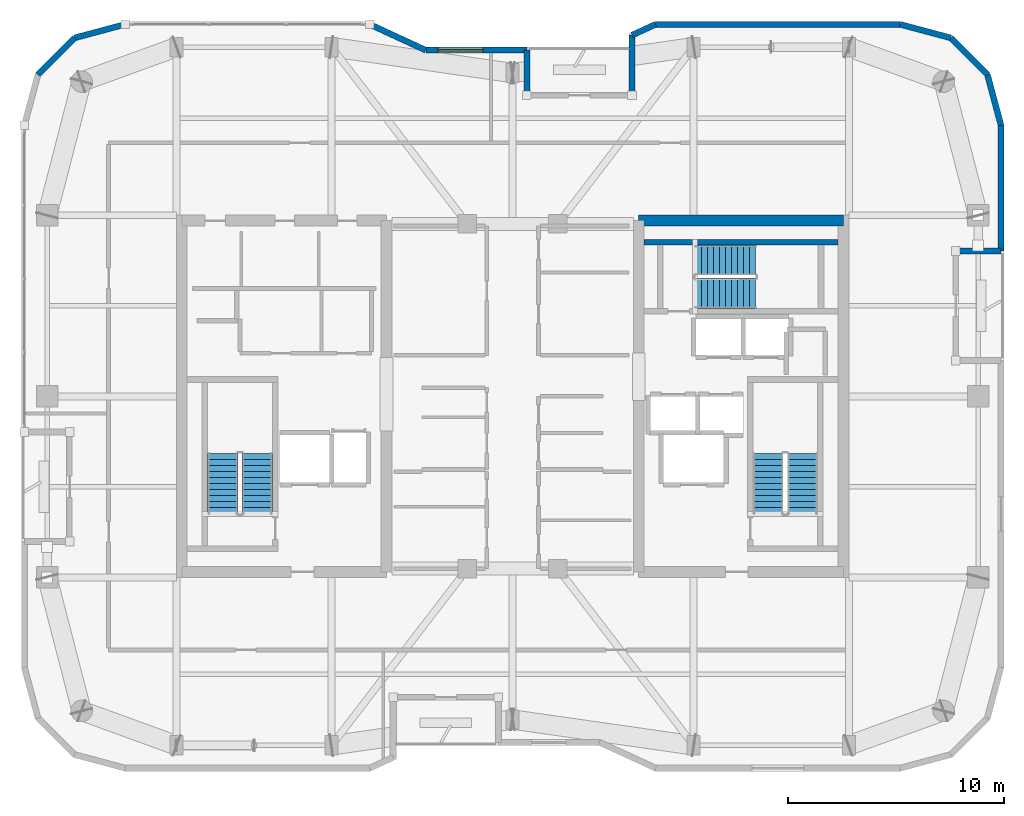
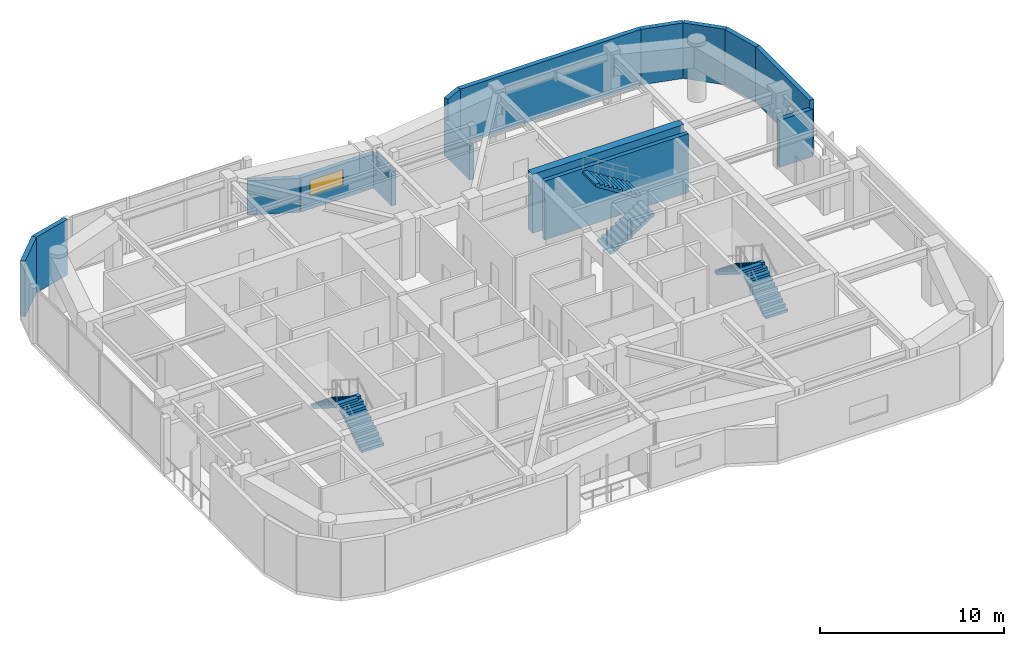
# One storey, part 13 of 15: 15 walls, 6 stair flights, 1 window, 1 opening, 3 elements without a shape of their own.
"""IFC4 building model written with IfcOpenShell, lengths in metres."""

import ifcopenshell
import ifcopenshell.guid

model = None  # the IFC model being written
_history = None  # IfcOwnerHistory: only IFC2X3 demands one
_inside = {}  # id of a spatial element -> (the spatial element, [elements in it])
_under = {}  # id of a project, library or spatial element -> (it, [spatial elements below it])
_declared = {}  # id of a project -> (the project, [libraries it declares])
_typed = {}  # id of a type object -> (the type object, [elements of that type])
_made_of = {}  # id of a material, layer set ... -> (it, [elements and type objects made of it])


def new_model(schema):
    """Start an empty IFC model of exactly this schema.

    Asked for "IFC4X3", IfcOpenShell would pick the latest addendum, in which some entities
    have other attributes; the version numbers below select the first issue.
    IFC2X3 requires an IfcOwnerHistory on every rooted entity: one is made here for all.
    """
    global model, _history
    if schema == "IFC4X3":
        model = ifcopenshell.file(schema_version=(4, 3, 0, 0))
    else:
        model = ifcopenshell.file(schema=schema)
    _inside.clear()
    _under.clear()
    _declared.clear()
    _typed.clear()
    _made_of.clear()
    _history = None
    if model.schema == "IFC2X3":
        org = make("IfcOrganization", Name="unknown")
        user = make(
            "IfcPersonAndOrganization",
            ThePerson=make("IfcPerson", FamilyName="unknown"),
            TheOrganization=org,
        )
        app = make(
            "IfcApplication",
            ApplicationDeveloper=org,
            Version="unknown",
            ApplicationFullName="unknown",
            ApplicationIdentifier="unknown",
        )
        _history = make(
            "IfcOwnerHistory",
            OwningUser=user,
            OwningApplication=app,
            ChangeAction="ADDED",
            CreationDate=0,
        )
    return model


def make(cls, **values):
    """One entity of the class cls with the attributes given. An attribute that is None is left unset."""
    return model.create_entity(
        cls, **{name: value for name, value in values.items() if value is not None}
    )


def rooted(cls, **values):
    """An entity with a GlobalId (a new one), such as an element, a storey or a relation."""
    return make(cls, GlobalId=ifcopenshell.guid.new(), OwnerHistory=_history, **values)


def si_unit(unit_type, name, prefix=None):
    """IfcSIUnit, for example si_unit("LENGTHUNIT", "METRE", prefix="MILLI")."""
    return make("IfcSIUnit", UnitType=unit_type, Prefix=prefix, Name=name)


def assignment(units):
    """IfcUnitAssignment: the units of a project."""
    return None if units is None else make("IfcUnitAssignment", Units=units)


def point(xyz):
    """IfcCartesianPoint."""
    return None if xyz is None else make("IfcCartesianPoint", Coordinates=xyz)


def direction(xyz):
    """IfcDirection."""
    return None if xyz is None else make("IfcDirection", DirectionRatios=xyz)


def frame(location, z_axis=None, x_axis=None):
    """IfcAxis2Placement3D, a coordinate frame: its origin and axes. An axis left out is left unset."""
    return make(
        "IfcAxis2Placement3D",
        Location=point(location),
        Axis=direction(z_axis),
        RefDirection=direction(x_axis),
    )


def frame_2d(location, x_axis=None):
    """IfcAxis2Placement2D, a coordinate frame in the plane: its origin and x axis."""
    return make(
        "IfcAxis2Placement2D", Location=point(location), RefDirection=direction(x_axis)
    )


def origin():
    """The frame at (0, 0, 0) with its axes left unset."""
    return frame((0.0, 0.0, 0.0))


def place(relative_to, where):
    """IfcLocalPlacement: puts the frame where relative to a parent placement (None: the world)."""
    return make(
        "IfcLocalPlacement", PlacementRelTo=relative_to, RelativePlacement=where
    )


def context(
    kind, dimensions, precision=None, world=None, true_north=None, identifier=None
):
    """IfcGeometricRepresentationContext, for example the 3D "Model" context."""
    return make(
        "IfcGeometricRepresentationContext",
        ContextIdentifier=identifier,
        ContextType=kind,
        CoordinateSpaceDimension=dimensions,
        Precision=precision,
        WorldCoordinateSystem=world,
        TrueNorth=true_north,
    )


def subcontext(parent, identifier, kind, view, scale=None):
    """IfcGeometricRepresentationSubContext, for example "Body" below "Model"."""
    return make(
        "IfcGeometricRepresentationSubContext",
        ContextIdentifier=identifier,
        ContextType=kind,
        ParentContext=parent,
        TargetScale=scale,
        TargetView=view,
    )


def project(units=None, contexts=None):
    """IfcProject with its units and contexts."""
    return rooted(
        "IfcProject",
        Name="project",
        RepresentationContexts=contexts,
        UnitsInContext=assignment(units),
    )


def spatial(cls, under=None, at=None, **own):
    """A site, building, storey or space (cls), placed at a placement, below another one or the project."""
    s = rooted(cls, ObjectPlacement=at, **own)
    if under is not None:
        _under.setdefault(under.id(), (under, []))[1].append(s)
    return s


def polyline(points):
    """IfcPolyline through the points."""
    return make("IfcPolyline", Points=[point(p) for p in points])


def profile(cls, at=None, kind="AREA", **sizes):
    """A parametric profile (cls). Its sizes go by their IFC names, for example OverallWidth=200.0."""
    return make(cls, ProfileType=kind, Position=at, **sizes)


def rectangle(**sizes):
    """IfcRectangleProfileDef."""
    return profile("IfcRectangleProfileDef", **sizes)


def outline(outer, holes=None, kind="AREA"):
    """IfcArbitraryClosedProfileDef: a profile drawn as a closed curve; with holes, ...WithVoids."""
    if holes is None:
        return make("IfcArbitraryClosedProfileDef", ProfileType=kind, OuterCurve=outer)
    return make(
        "IfcArbitraryProfileDefWithVoids",
        ProfileType=kind,
        OuterCurve=outer,
        InnerCurves=holes,
    )


def extrude(swept, where, along, depth):
    """IfcExtrudedAreaSolid: the profile swept, set in the frame where, extruded along a direction by depth."""
    return make(
        "IfcExtrudedAreaSolid",
        SweptArea=swept,
        Position=where,
        ExtrudedDirection=direction(along),
        Depth=depth,
    )


def shape(context_of_items, identifier, shape_type, items):
    """IfcShapeRepresentation: the items that make up one representation, for example the "Body"."""
    return make(
        "IfcShapeRepresentation",
        ContextOfItems=context_of_items,
        RepresentationIdentifier=identifier,
        RepresentationType=shape_type,
        Items=items,
    )


def material(Name=None, Category=None):
    """IfcMaterial."""
    return make("IfcMaterial", Name=Name, Category=Category)


def layer(
    of_material, thickness, ventilated=None, Name=None, Category=None, Priority=None
):
    """IfcMaterialLayer: one layer of a wall or slab, of a material (None: an air gap)."""
    return make(
        "IfcMaterialLayer",
        Material=of_material,
        LayerThickness=thickness,
        IsVentilated=ventilated,
        Name=Name,
        Category=Category,
        Priority=Priority,
    )


def layer_set(layers, Name=None):
    """IfcMaterialLayerSet."""
    return make("IfcMaterialLayerSet", MaterialLayers=layers, LayerSetName=Name)


def made_of(thing, what):
    """Note that an element or type object is made of a material, layer set ...; save() writes the relation."""
    if what is not None:
        _made_of.setdefault(what.id(), (what, []))[1].append(thing)
    return thing


def type_object(cls, material=None, **own):
    """A type object (cls), such as IfcWallType, which elements share."""
    return made_of(rooted(cls, **own), material)


def element(
    cls,
    number,
    at=None,
    inside=None,
    cuts=None,
    type_object=None,
    material=None,
    context=None,
    identifier="Body",
    shape_type=None,
    held_by="IfcProductDefinitionShape",
    body=None,
    shapes=None,
    **own,
):
    """One element of the class cls, such as IfcWall. Its Tag is "e" and its number.

    at: its placement. inside: the storey or other place that contains it. cuts: it is an
    opening in that element (IfcRelVoidsElement). A single representation is given by context,
    identifier, shape_type and body (its items); several are given by shapes. held_by: the class
    of the entity that holds the representations. save() writes the other relations.
    """
    e = rooted(cls, Tag="e%d" % number, ObjectPlacement=at, **own)
    if body is not None:
        shapes = [shape(context, identifier, shape_type, body)]
    if shapes is not None:
        e.Representation = make(held_by, Representations=shapes)
    if inside is not None:
        _inside.setdefault(inside.id(), (inside, []))[1].append(e)
    if cuts is not None:
        rooted(
            "IfcRelVoidsElement", RelatingBuildingElement=cuts, RelatedOpeningElement=e
        )
    if type_object is not None:
        _typed.setdefault(type_object.id(), (type_object, []))[1].append(e)
    return made_of(e, material)


def fill(opening, filler):
    """IfcRelFillsElement: the door or window that sits in an opening."""
    return rooted(
        "IfcRelFillsElement",
        RelatingOpeningElement=opening,
        RelatedBuildingElement=filler,
    )


def aggregate(whole, parts):
    """IfcRelAggregates: a whole, such as a stair, and the parts it consists of."""
    return rooted("IfcRelAggregates", RelatingObject=whole, RelatedObjects=parts)


def save(model, path):
    """Write the relations noted so far, then the file.

    IfcRelAggregates (storeys below a building ...), IfcRelContainedInSpatialStructure (elements
    in a storey), IfcRelDefinesByType, IfcRelAssociatesMaterial and IfcRelDeclares: one each for
    every whole, place, type object, material and project.
    """
    for whole, parts in _under.values():
        aggregate(whole, parts)
    for where, things in _inside.values():
        rooted(
            "IfcRelContainedInSpatialStructure",
            RelatedElements=things,
            RelatingStructure=where,
        )
    for kind, things in _typed.values():
        rooted("IfcRelDefinesByType", RelatedObjects=things, RelatingType=kind)
    for what, things in _made_of.values():
        rooted("IfcRelAssociatesMaterial", RelatedObjects=things, RelatingMaterial=what)
    for by, libraries in _declared.values():
        rooted("IfcRelDeclares", RelatingContext=by, RelatedDefinitions=libraries)
    model.write(path)


model = new_model("IFC4")

# Units and contexts
model_context = context("Model", 3, precision=1e-05, world=origin(), true_north=direction((0.0, 1.0)))
body_context = subcontext(model_context, "Body", "Model", "MODEL_VIEW")
ifc_project = project(units=[si_unit("LENGTHUNIT", "METRE"), si_unit("AREAUNIT", "SQUARE_METRE"), si_unit("VOLUMEUNIT", "CUBIC_METRE"), si_unit("PLANEANGLEUNIT", "RADIAN"), si_unit("MASSUNIT", "GRAM", prefix="KILO")], contexts=[model_context])

# Site, building, storey
site_placement = place(None, origin())
site = spatial("IfcSite", under=ifc_project, at=site_placement, CompositionType="ELEMENT")
building_placement = place(site_placement, origin())
building = spatial("IfcBuilding", under=site, at=building_placement, Name="Kiyonajd Concourse Tower", CompositionType="ELEMENT")
storey_placement = place(building_placement, frame((0.0, 0.0, 286.199951171875)))
storey = spatial("IfcBuildingStorey", under=building, at=storey_placement, Name="L72", CompositionType="ELEMENT", Elevation=286.199951171875)

# Walls
ifc_material_1 = material(Name="Concrete C60/75", Category="concrete")
ifc_layer_1 = layer(ifc_material_1, 0.5)
ifc_layer_set_1 = layer_set([ifc_layer_1], Name="Concrete C60/75")
wall_type_1 = type_object("IfcWallType", Name="WL-CORE-500", PredefinedType="SHEAR", material=ifc_layer_set_1)
wall_1_placement = place(storey_placement, frame((53.85009765625, 44.14990234375, 0.0), z_axis=(0.0, 0.0, 1.0), x_axis=(1.0, 0.0, 0.0)))
element("IfcWall", 1, at=wall_1_placement, inside=storey, type_object=wall_type_1, Name="L72 East Core North Shear Wall", PredefinedType="SHEAR", context=body_context, shape_type="SweptSolid", body=[
    extrude(rectangle(XDim=9.5, YDim=0.5, at=frame_2d((4.75, 0.0))), origin(), (0.0, 0.0, 1.0), 3.900146484375),
])
ifc_material_2 = material(Name="Precast concrete C50/60", Category="concrete")
ifc_layer_2 = layer(ifc_material_2, 0.280029296875)
ifc_layer_set_2 = layer_set([ifc_layer_2], Name="Precast concrete C50/60")
wall_type_2 = type_object("IfcWallType", Name="WL-EXT-280", PredefinedType="SOLIDWALL", material=ifc_layer_set_2)
wall_2_placement = place(storey_placement, frame((25.968505859375, 50.927490234375, 0.0), z_axis=(0.0, 0.0, 1.0), x_axis=(0.707106781187, 0.707106781187, 0.0)))
element("IfcWall", 2, at=wall_2_placement, inside=storey, type_object=wall_type_2, Name="L72 Exterior Concrete Frame Wall 07", PredefinedType="SOLIDWALL", context=body_context, shape_type="SweptSolid", body=[
    extrude(rectangle(XDim=2.409912109375, YDim=0.280029296875, at=frame_2d((1.205078125, 0.0))), origin(), (0.0, 0.0, 1.0), 3.679931640625),
])
wall_3_placement = place(storey_placement, frame((27.672607421875, 52.631591796875, 0.0), z_axis=(0.0, 0.0, 1.0), x_axis=(0.965937282298, 0.25877628691, 0.0)))
element("IfcWall", 3, at=wall_3_placement, inside=storey, type_object=wall_type_2, Name="L72 Exterior Concrete Frame Wall 08", PredefinedType="SOLIDWALL", context=body_context, shape_type="SweptSolid", body=[
    extrude(rectangle(XDim=2.428466796875, YDim=0.280029296875, at=frame_2d((1.21435546875, 0.0))), origin(), (0.0, 0.0, 1.0), 3.679931640625),
])
wall_4_placement = place(storey_placement, frame((41.369384765625, 53.260009765625, 0.0), z_axis=(0.0, 0.0, 1.0), x_axis=(0.907956889006, -0.419063584324, 0.0)))
element("IfcWall", 4, at=wall_4_placement, inside=storey, type_object=wall_type_2, Name="L72 Exterior Concrete Frame Wall 10", PredefinedType="SOLIDWALL", context=body_context, shape_type="SweptSolid", body=[
    extrude(rectangle(XDim=2.863525390625, YDim=0.280029296875, at=frame_2d((1.431640625, 0.0))), origin(), (0.0, 0.0, 1.0), 2.26513671875),
])

# Wall, opening, window
wall_5_placement = place(storey_placement, frame((43.96923828125, 52.06005859375, 0.0), z_axis=(0.0, 0.0, 1.0), x_axis=(1.0, 0.0, 0.0)))
wall_5 = element("IfcWall", 5, at=wall_5_placement, inside=storey, type_object=wall_type_2, Name="L72 Exterior Concrete Frame Wall 11", PredefinedType="SOLIDWALL", context=body_context, shape_type="SweptSolid", body=[
    extrude(rectangle(XDim=4.690673828125, YDim=0.280029296875, at=frame_2d((2.34521484375, 0.0))), origin(), (0.0, 0.0, 1.0), 2.26513671875),
])
opening_placement = place(wall_5_placement, frame((0.56005859375, 0.0, 0.85009765625)))
opening = element("IfcOpeningElement", 6, at=opening_placement, cuts=wall_5, Name="Opening WN5", PredefinedType="OPENING", context=body_context, shape_type="SweptSolid", body=[
    extrude(rectangle(XDim=2.10009765625, YDim=1.050048828125, at=frame_2d((1.050048828125, 0.52490234375))), frame((0.0, 0.14990234375, 0.0), z_axis=(0.0, -1.0, 0.0), x_axis=(1.0, 0.0, 0.0)), (0.0, 0.0, 1.0), 0.300048828125),
])
ifc_material_3 = material(Name="Double Low-E Insulated Glass", Category="glass")
window_type = type_object("IfcWindowType", Name="WN-VIS-2100x1050", PartitioningType="SINGLE_PANEL", PredefinedType="WINDOW", material=ifc_material_3)
window_placement = place(opening_placement, origin())
window = element("IfcWindow", 7, at=window_placement, inside=storey, type_object=window_type, Name="L72 Modular Facade Vision Window 11", OverallHeight=1.050048828125, OverallWidth=2.10009765625, PartitioningType="SINGLE_PANEL", PredefinedType="WINDOW", context=body_context, shape_type="SweptSolid", body=[
    extrude(rectangle(XDim=2.10009765625, YDim=1.050048828125, at=frame_2d((1.050048828125, 0.52490234375))), frame((0.0, 0.030029296875, 0.0), z_axis=(0.0, -1.0, 0.0), x_axis=(1.0, 0.0, 0.0)), (0.0, 0.0, 1.0), 0.06005859375),
])
fill(opening, window)

# Walls
wall_6_placement = place(storey_placement, frame((48.659912109375, 52.06005859375, 0.0), z_axis=(0.0, 0.0, 1.0), x_axis=(0.0, -1.0, 0.0)))
element("IfcWall", 8, at=wall_6_placement, inside=storey, type_object=wall_type_2, Name="L72 Exterior Concrete Frame Wall 12", PredefinedType="SOLIDWALL", context=body_context, shape_type="SweptSolid", body=[
    extrude(rectangle(XDim=2.10009765625, YDim=0.280029296875, at=frame_2d((1.050048828125, 0.0))), origin(), (0.0, 0.0, 1.0), 2.26513671875),
])
wall_7_placement = place(storey_placement, frame((53.5400390625, 49.9599609375, 0.0), z_axis=(0.0, 0.0, 1.0), x_axis=(0.0, 1.0, 0.0)))
element("IfcWall", 9, at=wall_7_placement, inside=storey, type_object=wall_type_2, Name="L72 Exterior Concrete Frame Wall 14", PredefinedType="SOLIDWALL", context=body_context, shape_type="SweptSolid", body=[
    extrude(rectangle(XDim=2.79638671875, YDim=0.280029296875, at=frame_2d((1.398193359375, 0.0))), origin(), (0.0, 0.0, 1.0), 2.26513671875),
])
wall_8_placement = place(storey_placement, frame((53.5400390625, 52.75634765625, 0.0), z_axis=(0.0, 0.0, 1.0), x_axis=(0.907893953211, 0.419199916176, 0.0)))
element("IfcWall", 10, at=wall_8_placement, inside=storey, type_object=wall_type_2, Name="L72 Exterior Concrete Frame Wall 15", PredefinedType="SOLIDWALL", context=body_context, shape_type="SweptSolid", body=[
    extrude(rectangle(XDim=1.201416015625, YDim=0.280029296875, at=frame_2d((0.6005859375, 0.0))), origin(), (0.0, 0.0, 1.0), 3.679931640625),
])
wall_9_placement = place(storey_placement, frame((54.630859375, 53.260009765625, 0.0), z_axis=(0.0, 0.0, 1.0), x_axis=(1.0, 0.0, 0.0)))
element("IfcWall", 11, at=wall_9_placement, inside=storey, type_object=wall_type_2, Name="L72 Exterior Concrete Frame Wall 16", PredefinedType="SOLIDWALL", context=body_context, shape_type="SweptSolid", body=[
    extrude(rectangle(XDim=11.350830078125, YDim=0.280029296875, at=frame_2d((5.67529296875, 0.0))), origin(), (0.0, 0.0, 1.0), 3.679931640625),
])
wall_10_placement = place(storey_placement, frame((65.981689453125, 53.260009765625, 0.0), z_axis=(0.0, 0.0, 1.0), x_axis=(0.965937282298, -0.25877628691, 0.0)))
element("IfcWall", 12, at=wall_10_placement, inside=storey, type_object=wall_type_2, Name="L72 Exterior Concrete Frame Wall 17", PredefinedType="SOLIDWALL", context=body_context, shape_type="SweptSolid", body=[
    extrude(rectangle(XDim=2.428466796875, YDim=0.280029296875, at=frame_2d((1.21435546875, 0.0))), origin(), (0.0, 0.0, 1.0), 3.679931640625),
])
wall_11_placement = place(storey_placement, frame((68.327392578125, 52.631591796875, 0.0), z_axis=(0.0, 0.0, 1.0), x_axis=(0.707106781187, -0.707106781187, 0.0)))
element("IfcWall", 13, at=wall_11_placement, inside=storey, type_object=wall_type_2, Name="L72 Exterior Concrete Frame Wall 18", PredefinedType="SOLIDWALL", context=body_context, shape_type="SweptSolid", body=[
    extrude(rectangle(XDim=2.409912109375, YDim=0.280029296875, at=frame_2d((1.205078125, 0.0))), origin(), (0.0, 0.0, 1.0), 3.679931640625),
])
wall_12_placement = place(storey_placement, frame((70.031494140625, 50.927490234375, 0.0), z_axis=(0.0, 0.0, 1.0), x_axis=(0.258751159445, -0.965944013639, 0.0)))
element("IfcWall", 14, at=wall_12_placement, inside=storey, type_object=wall_type_2, Name="L72 Exterior Concrete Frame Wall 19", PredefinedType="SOLIDWALL", context=body_context, shape_type="SweptSolid", body=[
    extrude(rectangle(XDim=2.4287109375, YDim=0.280029296875, at=frame_2d((1.21435546875, 0.0))), origin(), (0.0, 0.0, 1.0), 3.679931640625),
])
wall_13_placement = place(storey_placement, frame((70.659912109375, 48.58154296875, 0.0), z_axis=(0.0, 0.0, 1.0), x_axis=(0.0, -1.0, 0.0)))
element("IfcWall", 15, at=wall_13_placement, inside=storey, type_object=wall_type_2, Name="L72 Exterior Concrete Frame Wall 20", PredefinedType="SOLIDWALL", context=body_context, shape_type="SweptSolid", body=[
    extrude(rectangle(XDim=5.841552734375, YDim=0.280029296875, at=frame_2d((2.9208984375, 0.0))), origin(), (0.0, 0.0, 1.0), 3.679931640625),
])
wall_14_placement = place(storey_placement, frame((70.659912109375, 42.739990234375, 0.0), z_axis=(0.0, 0.0, 1.0), x_axis=(-1.0, 0.0, 0.0)))
element("IfcWall", 16, at=wall_14_placement, inside=storey, type_object=wall_type_2, Name="L72 Exterior Concrete Frame Wall 21", PredefinedType="SOLIDWALL", context=body_context, shape_type="SweptSolid", body=[
    extrude(rectangle(XDim=2.099853515625, YDim=0.280029296875, at=frame_2d((1.0498046875, 0.0))), origin(), (0.0, 0.0, 1.0), 3.1259765625),
])
ifc_material_4 = material(Name="Concrete C50/60", Category="concrete")
ifc_layer_3 = layer(ifc_material_4, 0.260009765625)
ifc_layer_set_3 = layer_set([ifc_layer_3], Name="Concrete C50/60")
wall_type_3 = type_object("IfcWallType", Name="WL-STAIR-260", PredefinedType="SHEAR", material=ifc_layer_set_3)
wall_15_placement = place(storey_placement, frame((54.10009765625, 43.14990234375, 0.0), z_axis=(0.0, 0.0, 1.0), x_axis=(1.0, 0.0, 0.0)))
element("IfcWall", 17, at=wall_15_placement, inside=storey, type_object=wall_type_3, Name="L72 Stair ST3 Structural North Wall", PredefinedType="SHEAR", context=body_context, shape_type="SweptSolid", body=[
    extrude(rectangle(XDim=9.0, YDim=0.260009765625, at=frame_2d((4.5, 0.0))), origin(), (0.0, 0.0, 1.0), 3.900146484375),
])

# Stair, stair flights
ifc_material_5 = material(Name="Concrete C40/50", Category="concrete")
stair_type = type_object("IfcStairType", Name="ST-DLG-22R", PredefinedType="HALF_TURN_STAIR", material=ifc_material_5)
stair_1_placement = place(storey_placement, origin())
stair_1 = element("IfcStair", 18, at=stair_1_placement, inside=storey, type_object=stair_type, Name="L72 Protected Exit Stair ST1", PredefinedType="HALF_TURN_STAIR")
stair_flight_type = type_object("IfcStairFlightType", Name="SF-STR-22R", PredefinedType="STRAIGHT", material=ifc_material_5)
stair_flight_1_placement = place(storey_placement, frame((36.14990234375, 30.550048828125, 0.0), z_axis=(0.0, 0.0, 1.0), x_axis=(0.0, 1.0, 0.0)))
stair_flight_1 = element("IfcStairFlight", 19, at=stair_flight_1_placement, type_object=stair_flight_type, Name="ST1 flight 1", NumberOfRisers=11, NumberOfTreads=10, PredefinedType="STRAIGHT", RiserHeight=0.177272727, TreadLength=0.28, context=body_context, shape_type="SweptSolid", body=[
    extrude(outline(polyline([(0.0, 0.0), (0.0, 0.17724609375), (0.280029296875, 0.17724609375), (0.280029296875, 0.3544921875), (0.56005859375, 0.3544921875), (0.56005859375, 0.53173828125), (0.840087890625, 0.53173828125), (0.840087890625, 0.708984375), (1.1201171875, 0.708984375), (1.1201171875, 0.886474609375), (1.39990234375, 0.886474609375), (1.39990234375, 1.063720703125), (1.679931640625, 1.063720703125), (1.679931640625, 1.240966796875), (1.9599609375, 1.240966796875), (1.9599609375, 1.418212890625), (2.239990234375, 1.418212890625), (2.239990234375, 1.595458984375), (2.52001953125, 1.595458984375), (2.52001953125, 1.772705078125), (2.800048828125, 1.772705078125), (2.800048828125, 1.949951171875), (2.800048828125, 1.59521484375), (0.2802734375, 0.0), (0.0, 0.0)])), frame((0.0, 0.699951171875, 0.0), z_axis=(0.0, -1.0, 0.0), x_axis=(1.0, 0.0, 0.0)), (0.0, 0.0, 1.0), 1.39990234375),
])
stair_flight_2_placement = place(storey_placement, frame((34.550048828125, 33.35009765625, 1.949951171875), z_axis=(0.0, 0.0, 1.0), x_axis=(0.0, -1.0, 0.0)))
stair_flight_2 = element("IfcStairFlight", 20, at=stair_flight_2_placement, type_object=stair_flight_type, Name="ST1 flight 2", NumberOfRisers=11, NumberOfTreads=10, PredefinedType="STRAIGHT", RiserHeight=0.177272727, TreadLength=0.28, context=body_context, shape_type="SweptSolid", body=[
    extrude(outline(polyline([(0.0, 0.0), (0.0, 0.17724609375), (0.280029296875, 0.17724609375), (0.280029296875, 0.3544921875), (0.56005859375, 0.3544921875), (0.56005859375, 0.53173828125), (0.840087890625, 0.53173828125), (0.840087890625, 0.708984375), (1.1201171875, 0.708984375), (1.1201171875, 0.886474609375), (1.39990234375, 0.886474609375), (1.39990234375, 1.063720703125), (1.679931640625, 1.063720703125), (1.679931640625, 1.240966796875), (1.9599609375, 1.240966796875), (1.9599609375, 1.418212890625), (2.239990234375, 1.418212890625), (2.239990234375, 1.595458984375), (2.52001953125, 1.595458984375), (2.52001953125, 1.772705078125), (2.800048828125, 1.772705078125), (2.800048828125, 1.949951171875), (2.800048828125, 1.59521484375), (0.2802734375, 0.0), (0.0, 0.0)])), frame((0.0, 0.699951171875, 0.0), z_axis=(0.0, -1.0, 0.0), x_axis=(1.0, 0.0, 0.0)), (0.0, 0.0, 1.0), 1.39990234375),
])
aggregate(stair_1, [stair_flight_1, stair_flight_2])

stair_2_placement = place(storey_placement, origin())
stair_2 = element("IfcStair", 21, at=stair_2_placement, inside=storey, type_object=stair_type, Name="L72 Protected Exit Stair ST2", PredefinedType="HALF_TURN_STAIR")
stair_flight_3_placement = place(storey_placement, frame((61.449951171875, 30.550048828125, 0.0), z_axis=(0.0, 0.0, 1.0), x_axis=(0.0, 1.0, 0.0)))
stair_flight_3 = element("IfcStairFlight", 22, at=stair_flight_3_placement, type_object=stair_flight_type, Name="ST2 flight 1", NumberOfRisers=11, NumberOfTreads=10, PredefinedType="STRAIGHT", RiserHeight=0.177272727, TreadLength=0.28, context=body_context, shape_type="SweptSolid", body=[
    extrude(outline(polyline([(0.0, 0.0), (0.0, 0.17724609375), (0.280029296875, 0.17724609375), (0.280029296875, 0.3544921875), (0.56005859375, 0.3544921875), (0.56005859375, 0.53173828125), (0.840087890625, 0.53173828125), (0.840087890625, 0.708984375), (1.1201171875, 0.708984375), (1.1201171875, 0.886474609375), (1.39990234375, 0.886474609375), (1.39990234375, 1.063720703125), (1.679931640625, 1.063720703125), (1.679931640625, 1.240966796875), (1.9599609375, 1.240966796875), (1.9599609375, 1.418212890625), (2.239990234375, 1.418212890625), (2.239990234375, 1.595458984375), (2.52001953125, 1.595458984375), (2.52001953125, 1.772705078125), (2.800048828125, 1.772705078125), (2.800048828125, 1.949951171875), (2.800048828125, 1.59521484375), (0.2802734375, 0.0), (0.0, 0.0)])), frame((0.0, 0.699951171875, 0.0), z_axis=(0.0, -1.0, 0.0), x_axis=(1.0, 0.0, 0.0)), (0.0, 0.0, 1.0), 1.39990234375),
])
stair_flight_4_placement = place(storey_placement, frame((59.85009765625, 33.35009765625, 1.949951171875), z_axis=(0.0, 0.0, 1.0), x_axis=(0.0, -1.0, 0.0)))
stair_flight_4 = element("IfcStairFlight", 23, at=stair_flight_4_placement, type_object=stair_flight_type, Name="ST2 flight 2", NumberOfRisers=11, NumberOfTreads=10, PredefinedType="STRAIGHT", RiserHeight=0.177272727, TreadLength=0.28, context=body_context, shape_type="SweptSolid", body=[
    extrude(outline(polyline([(0.0, 0.0), (0.0, 0.17724609375), (0.280029296875, 0.17724609375), (0.280029296875, 0.3544921875), (0.56005859375, 0.3544921875), (0.56005859375, 0.53173828125), (0.840087890625, 0.53173828125), (0.840087890625, 0.708984375), (1.1201171875, 0.708984375), (1.1201171875, 0.886474609375), (1.39990234375, 0.886474609375), (1.39990234375, 1.063720703125), (1.679931640625, 1.063720703125), (1.679931640625, 1.240966796875), (1.9599609375, 1.240966796875), (1.9599609375, 1.418212890625), (2.239990234375, 1.418212890625), (2.239990234375, 1.595458984375), (2.52001953125, 1.595458984375), (2.52001953125, 1.772705078125), (2.800048828125, 1.772705078125), (2.800048828125, 1.949951171875), (2.800048828125, 1.59521484375), (0.2802734375, 0.0), (0.0, 0.0)])), frame((0.0, 0.699951171875, 0.0), z_axis=(0.0, -1.0, 0.0), x_axis=(1.0, 0.0, 0.0)), (0.0, 0.0, 1.0), 1.39990234375),
])
aggregate(stair_2, [stair_flight_3, stair_flight_4])

stair_3_placement = place(storey_placement, origin())
stair_3 = element("IfcStair", 24, at=stair_3_placement, inside=storey, type_object=stair_type, Name="L72 Protected Exit Stair ST3", PredefinedType="HALF_TURN_STAIR")
stair_flight_5_placement = place(storey_placement, frame((56.47998046875, 40.780029296875, 0.0), z_axis=(0.0, 0.0, 1.0), x_axis=(1.0, 0.0, 0.0)))
stair_flight_5 = element("IfcStairFlight", 25, at=stair_flight_5_placement, type_object=stair_flight_type, Name="ST3 flight 1", NumberOfRisers=11, NumberOfTreads=10, PredefinedType="STRAIGHT", RiserHeight=0.177272727, TreadLength=0.28, context=body_context, shape_type="SweptSolid", body=[
    extrude(outline(polyline([(0.0, 0.0), (0.0, 0.17724609375), (0.280029296875, 0.17724609375), (0.280029296875, 0.3544921875), (0.56005859375, 0.3544921875), (0.56005859375, 0.53173828125), (0.840087890625, 0.53173828125), (0.840087890625, 0.708984375), (1.1201171875, 0.708984375), (1.1201171875, 0.886474609375), (1.39990234375, 0.886474609375), (1.39990234375, 1.063720703125), (1.679931640625, 1.063720703125), (1.679931640625, 1.240966796875), (1.9599609375, 1.240966796875), (1.9599609375, 1.418212890625), (2.239990234375, 1.418212890625), (2.239990234375, 1.595458984375), (2.52001953125, 1.595458984375), (2.52001953125, 1.772705078125), (2.800048828125, 1.772705078125), (2.800048828125, 1.949951171875), (2.800048828125, 1.59521484375), (0.2802734375, 0.0), (0.0, 0.0)])), frame((0.0, 0.699951171875, 0.0), z_axis=(0.0, -1.0, 0.0), x_axis=(1.0, 0.0, 0.0)), (0.0, 0.0, 1.0), 1.39990234375),
])
stair_flight_6_placement = place(storey_placement, frame((59.280029296875, 42.320068359375, 1.949951171875), z_axis=(0.0, 0.0, 1.0), x_axis=(-1.0, 0.0, 0.0)))
stair_flight_6 = element("IfcStairFlight", 26, at=stair_flight_6_placement, type_object=stair_flight_type, Name="ST3 flight 2", NumberOfRisers=11, NumberOfTreads=10, PredefinedType="STRAIGHT", RiserHeight=0.177272727, TreadLength=0.28, context=body_context, shape_type="SweptSolid", body=[
    extrude(outline(polyline([(0.0, 0.0), (0.0, 0.17724609375), (0.280029296875, 0.17724609375), (0.280029296875, 0.3544921875), (0.56005859375, 0.3544921875), (0.56005859375, 0.53173828125), (0.840087890625, 0.53173828125), (0.840087890625, 0.708984375), (1.1201171875, 0.708984375), (1.1201171875, 0.886474609375), (1.39990234375, 0.886474609375), (1.39990234375, 1.063720703125), (1.679931640625, 1.063720703125), (1.679931640625, 1.240966796875), (1.9599609375, 1.240966796875), (1.9599609375, 1.418212890625), (2.239990234375, 1.418212890625), (2.239990234375, 1.595458984375), (2.52001953125, 1.595458984375), (2.52001953125, 1.772705078125), (2.800048828125, 1.772705078125), (2.800048828125, 1.949951171875), (2.800048828125, 1.59521484375), (0.2802734375, 0.0), (0.0, 0.0)])), frame((0.0, 0.699951171875, 0.0), z_axis=(0.0, -1.0, 0.0), x_axis=(1.0, 0.0, 0.0)), (0.0, 0.0, 1.0), 1.39990234375),
])
aggregate(stair_3, [stair_flight_5, stair_flight_6])

save(model, "model.ifc")
